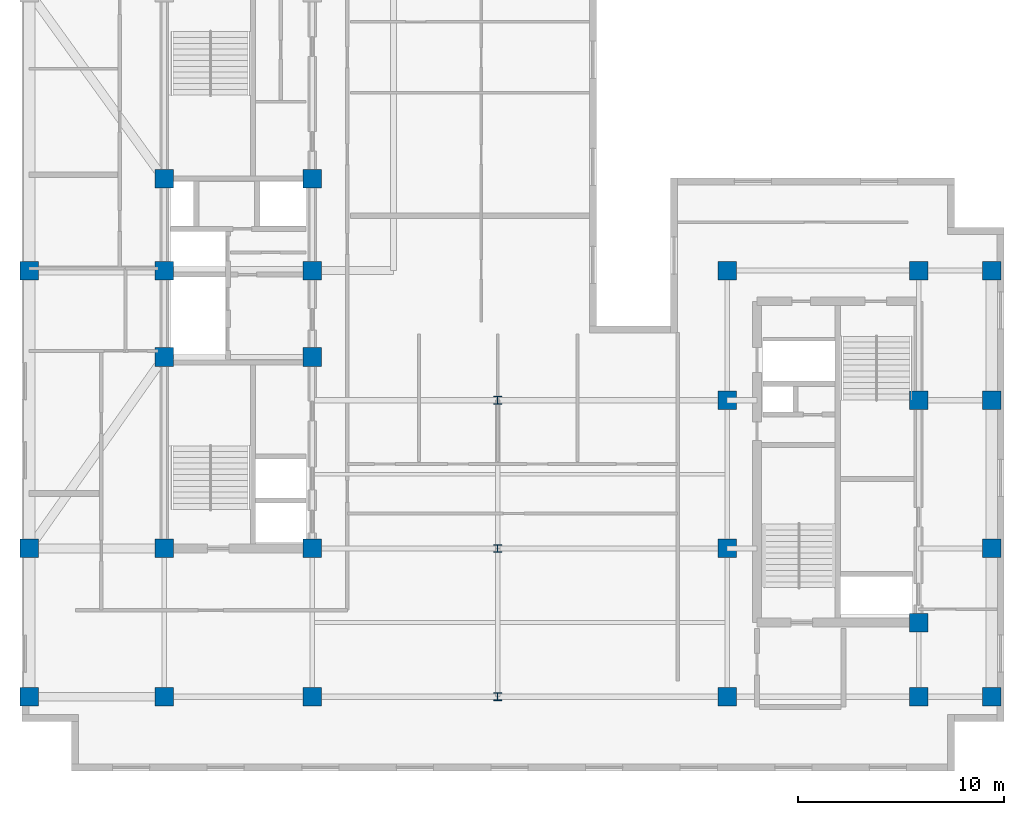
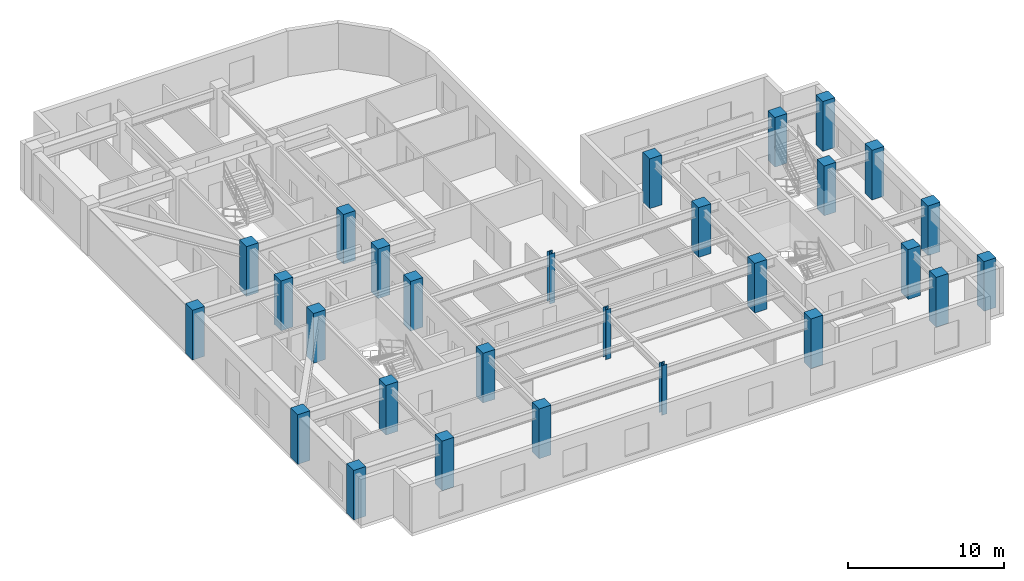
# One storey, part 1 of 10: 28 columns.
"""IFC4 building model written with IfcOpenShell, lengths in metres."""

from ifc_helpers import new_model, entity, si_unit, converted_unit, direction, frame, origin_with_axes, origin_2d_with_axis, place, context, subcontext, project, spatial, rectangle, i_section, extrude, material, material_profile, profile_set, type_object, element, save


model = new_model("IFC4")

# Units and contexts
model_context = context("Model", 3, precision=1e-05, world=origin_with_axes(), true_north=direction((0.0, 1.0)))
body_context = subcontext(model_context, "Body", "Model", "MODEL_VIEW")
ifc_project = project(units=[si_unit("LENGTHUNIT", "METRE"), si_unit("AREAUNIT", "SQUARE_METRE"), si_unit("VOLUMEUNIT", "CUBIC_METRE"), converted_unit("PLANEANGLEUNIT", "DEGREE", entity("IfcPlaneAngleMeasure", 0.017453292519943295), si_unit("PLANEANGLEUNIT", "RADIAN"), dimensions=[0, 0, 0, 0, 0, 0, 0]), si_unit("MASSUNIT", "GRAM", prefix="KILO"), si_unit("THERMODYNAMICTEMPERATUREUNIT", "KELVIN")], contexts=[model_context])

# Site, building, storey
site_placement = place(None, origin_with_axes())
site = spatial("IfcSite", under=ifc_project, at=site_placement, CompositionType="ELEMENT")
building_placement = place(site_placement, origin_with_axes())
building = spatial("IfcBuilding", under=site, at=building_placement, Name="Varnlund Millrace Tower", CompositionType="ELEMENT")
storey_placement = place(building_placement, frame((0.0, 0.0, 244.2), z_axis=(0.0, 0.0, 1.0), x_axis=(1.0, 0.0, 0.0)))
storey = spatial("IfcBuildingStorey", under=building, at=storey_placement, Name="L60", CompositionType="ELEMENT", Elevation=244.2)

# Columns
ifc_material_1 = material(Name="Steel ASTM A992 Grade 50", Category="steel")
ifc_material_profile_1 = material_profile(ifc_material_1, i_section(OverallWidth=0.394, OverallDepth=0.375, WebThickness=0.0173, FlangeThickness=0.0277, FilletRadius=0.02, at=origin_2d_with_axis()), Name="Steel ASTM A992 Grade 50")
ifc_profile_set_1 = profile_set([ifc_material_profile_1], Name="Steel ASTM A992 Grade 50")
column_type_1 = type_object("IfcColumnType", Name="Type-Col-Int-W14X145", PredefinedType="COLUMN", material=ifc_profile_set_1)
for number, where, z_axis, x_axis, name in (
    (1, (27.6, 3.6, 0.0), (0.0, 0.0, 1.0), (1.0, 0.0, 0.0), "Type-Col-Int-W14X145"),
    (2, (27.6, 10.8, 0.0), (0.0, 0.0, 1.0), (1.0, 0.0, 0.0), "Type-Col-Int-W14X145"),
    (3, (27.6, 18.0, 0.0), (0.0, 0.0, 1.0), (1.0, 0.0, 0.0), "Type-Col-Int-W14X145"),
):
    element("IfcColumn", number, at=place(storey_placement, frame(where, z_axis=z_axis, x_axis=x_axis)), inside=storey, type_object=column_type_1, Name=name, PredefinedType="COLUMN", context=body_context, shape_type="SweptSolid", body=[
        extrude(i_section(OverallWidth=0.394, OverallDepth=0.375, WebThickness=0.0173, FlangeThickness=0.0277, FilletRadius=0.02, at=origin_2d_with_axis()), origin_with_axes(), (0.0, 0.0, 1.0), 3.9),
    ])
ifc_material_2 = material(Name="Concrete C70/85", Category="concrete")
ifc_material_profile_2 = material_profile(ifc_material_2, rectangle(XDim=0.9, YDim=0.9, at=origin_2d_with_axis()), Name="Concrete C70/85")
ifc_profile_set_2 = profile_set([ifc_material_profile_2], Name="Concrete C70/85")
column_type_2 = type_object("IfcColumnType", Name="Type-Col-RC900-C70", PredefinedType="COLUMN", material=ifc_profile_set_2)
for number, where, z_axis, x_axis, name in (
    (4, (11.4, 3.6, 0.0), (0.0, 0.0, 1.0), (1.0, 0.0, 0.0), "Type-Col-RC900-C70"),
    (5, (11.4, 10.8, 0.0), (0.0, 0.0, 1.0), (1.0, 0.0, 0.0), "Type-Col-RC900-C70"),
    (6, (11.4, 20.1, 0.0), (0.0, 0.0, 1.0), (1.0, 0.0, 0.0), "Type-Col-RC900-C70"),
    (7, (11.4, 24.3, 0.0), (0.0, 0.0, 1.0), (1.0, 0.0, 0.0), "Type-Col-RC900-C70"),
    (8, (11.4, 28.75, 0.0), (0.0, 0.0, 1.0), (1.0, 0.0, 0.0), "Type-Col-RC900-C70"),
    (9, (18.6, 3.6, 0.0), (0.0, 0.0, 1.0), (1.0, 0.0, 0.0), "Type-Col-RC900-C70"),
    (10, (18.6, 10.8, 0.0), (0.0, 0.0, 1.0), (1.0, 0.0, 0.0), "Type-Col-RC900-C70"),
    (11, (18.6, 20.1, 0.0), (0.0, 0.0, 1.0), (1.0, 0.0, 0.0), "Type-Col-RC900-C70"),
    (12, (18.6, 24.3, 0.0), (0.0, 0.0, 1.0), (1.0, 0.0, 0.0), "Type-Col-RC900-C70"),
    (13, (18.6, 28.75, 0.0), (0.0, 0.0, 1.0), (1.0, 0.0, 0.0), "Type-Col-RC900-C70"),
    (14, (4.85, 3.6, 0.0), (0.0, 0.0, 1.0), (1.0, 0.0, 0.0), "Type-Col-RC900-C70"),
    (15, (4.85, 10.8, 0.0), (0.0, 0.0, 1.0), (1.0, 0.0, 0.0), "Type-Col-RC900-C70"),
    (16, (4.85, 24.3, 0.0), (0.0, 0.0, 1.0), (1.0, 0.0, 0.0), "Type-Col-RC900-C70"),
    (17, (38.75, 3.6, 0.0), (0.0, 0.0, 1.0), (1.0, 0.0, 0.0), "Type-Col-RC900-C70"),
    (18, (38.75, 10.8, 0.0), (0.0, 0.0, 1.0), (1.0, 0.0, 0.0), "Type-Col-RC900-C70"),
    (19, (38.75, 18.0, 0.0), (0.0, 0.0, 1.0), (1.0, 0.0, 0.0), "Type-Col-RC900-C70"),
    (20, (38.75, 24.3, 0.0), (0.0, 0.0, 1.0), (1.0, 0.0, 0.0), "Type-Col-RC900-C70"),
    (21, (48.05, 3.6, 0.0), (0.0, 0.0, 1.0), (1.0, 0.0, 0.0), "Type-Col-RC900-C70"),
    (22, (48.05, 7.2, 0.0), (0.0, 0.0, 1.0), (1.0, 0.0, 0.0), "Type-Col-RC900-C70"),
    (23, (48.05, 18.0, 0.0), (0.0, 0.0, 1.0), (1.0, 0.0, 0.0), "Type-Col-RC900-C70"),
    (24, (48.05, 24.3, 0.0), (0.0, 0.0, 1.0), (1.0, 0.0, 0.0), "Type-Col-RC900-C70"),
    (25, (51.6, 3.6, 0.0), (0.0, 0.0, 1.0), (1.0, 0.0, 0.0), "Type-Col-RC900-C70"),
    (26, (51.6, 10.8, 0.0), (0.0, 0.0, 1.0), (1.0, 0.0, 0.0), "Type-Col-RC900-C70"),
    (27, (51.6, 18.0, 0.0), (0.0, 0.0, 1.0), (1.0, 0.0, 0.0), "Type-Col-RC900-C70"),
    (28, (51.6, 24.3, 0.0), (0.0, 0.0, 1.0), (1.0, 0.0, 0.0), "Type-Col-RC900-C70"),
):
    element("IfcColumn", number, at=place(storey_placement, frame(where, z_axis=z_axis, x_axis=x_axis)), inside=storey, type_object=column_type_2, Name=name, PredefinedType="COLUMN", context=body_context, shape_type="SweptSolid", body=[
        extrude(rectangle(XDim=0.9, YDim=0.9, at=origin_2d_with_axis()), origin_with_axes(), (0.0, 0.0, 1.0), 3.9),
    ])

save(model, "model.ifc")
